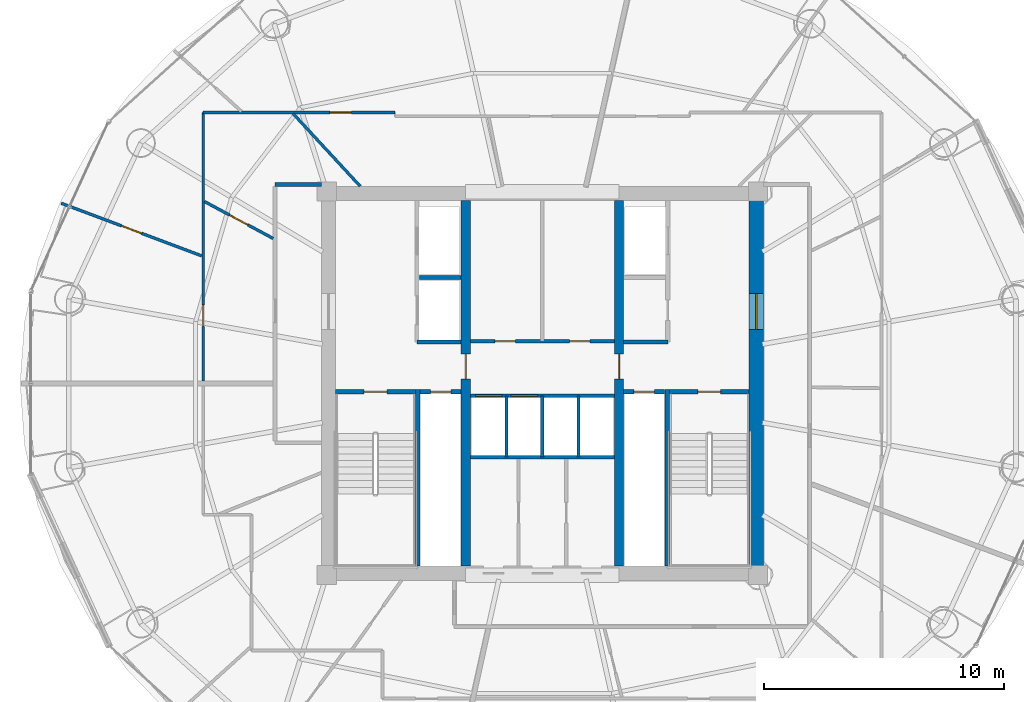
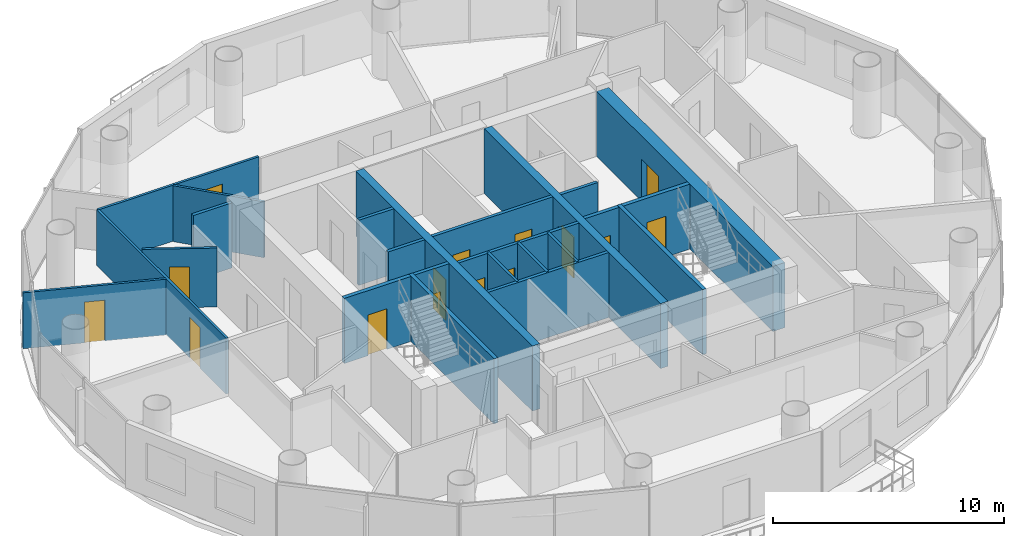
# One storey, part 21 of 26: 24 walls, 15 doors, 15 openings.
"""IFC4 building model written with IfcOpenShell, lengths in metres."""

from ifc_helpers import new_model, si_unit, direction, frame, frame_2d, origin, place, context, subcontext, project, spatial, rectangle, extrude, source, transform, mapped, material, layer, layer_set, type_object, element, fill, save


model = new_model("IFC4")

# Units and contexts
model_context = context("Model", 3, precision=1e-05, world=origin(), true_north=direction((-0.2419218956, 0.970295726276)))
body_context = subcontext(model_context, "Body", "Model", "MODEL_VIEW")
ifc_project = project(units=[si_unit("LENGTHUNIT", "METRE"), si_unit("AREAUNIT", "SQUARE_METRE"), si_unit("VOLUMEUNIT", "CUBIC_METRE"), si_unit("PLANEANGLEUNIT", "RADIAN"), si_unit("MASSUNIT", "GRAM", prefix="KILO")], contexts=[model_context])

# Site, building, storey
site_placement = place(None, origin())
site = spatial("IfcSite", under=ifc_project, at=site_placement, CompositionType="ELEMENT")
building_placement = place(site_placement, origin())
building = spatial("IfcBuilding", under=site, at=building_placement, Name="Cobrevalo Terracotta Tower", CompositionType="ELEMENT")
storey_placement = place(building_placement, frame((0.0, 0.0, 235.60009765625)))
storey = spatial("IfcBuildingStorey", under=building, at=storey_placement, Name="L62", CompositionType="ELEMENT", Elevation=235.60009765625)

# Wall, opening, door
ifc_material_1 = material(Name="Concrete C55", Category="concrete")
ifc_layer_1 = layer(ifc_material_1, 0.60009765625)
ifc_layer_set_1 = layer_set([ifc_layer_1], Name="Concrete C55")
wall_type_1 = type_object("IfcWallType", Name="Core shear wall 600 mm Concrete C55", PredefinedType="SHEAR", material=ifc_layer_set_1)
wall_1_placement = place(storey_placement, frame((46.925048828125, 19.175048828125, 0.0), z_axis=(0.0, 0.0, 1.0), x_axis=(0.0, 1.0, 0.0)))
wall_1 = element("IfcWall", 1, at=wall_1_placement, inside=storey, type_object=wall_type_1, Name="L62 east core shear wall", PredefinedType="SHEAR", context=body_context, shape_type="SweptSolid", body=[
    extrude(rectangle(XDim=15.25, YDim=0.60009765625, at=frame_2d((7.625, 0.0))), origin(), (0.0, 0.0, 1.0), 3.434814453125),
])
opening_1_placement = place(wall_1_placement, frame((9.875, 0.0, 0.0)))
opening_1 = element("IfcOpeningElement", 2, at=opening_1_placement, cuts=wall_1, Name="Opening ID-14", PredefinedType="OPENING", context=body_context, shape_type="SweptSolid", body=[
    extrude(rectangle(XDim=1.5, YDim=2.199951171875, at=frame_2d((0.75, 1.10009765625))), frame((0.0, 0.31005859375, 0.0), z_axis=(0.0, -1.0, 0.0), x_axis=(1.0, 0.0, 0.0)), (0.0, 0.0, 1.0), 0.6201171875),
])
ifc_material_2 = material(Name="Galvanized fire-rated steel", Category="steel")
door_type_1 = type_object("IfcDoorType", Name="Core cross-lobby double fire door 1500x2200 EI 90", OperationType="NOTDEFINED", PredefinedType="DOOR", material=ifc_material_2)
shared_shape_1 = source(origin(), body_context, "Body", "SweptSolid", [
    extrude(rectangle(XDim=1.5, YDim=2.199951171875, at=frame_2d((0.75, 1.10009765625))), frame((0.0, 0.02490234375, 0.0), z_axis=(0.0, -1.0, 0.0), x_axis=(1.0, 0.0, 0.0)), (0.0, 0.0, 1.0), 0.050048828125),
])
door_1_placement = place(opening_1_placement, frame((1.5, 0.0, 0.0), z_axis=(0.0, 0.0, 1.0), x_axis=(-1.0, 0.0, 0.0)))
door_1 = element("IfcDoor", 3, at=door_1_placement, inside=storey, type_object=door_type_1, Name="L62 east firefighting lobby entrance door", OperationType="DOUBLE_DOOR_SINGLE_SWING", OverallHeight=2.199951171875, OverallWidth=1.5, PredefinedType="DOOR", context=body_context, shape_type="MappedRepresentation", body=[
    mapped(shared_shape_1, transform((0.0, 0.0, 0.0), scale=1.0)),
])
fill(opening_1, door_1)

# Walls
ifc_material_3 = material(Name="Gypsum board on steel stud", Category="steel")
ifc_layer_2 = layer(ifc_material_3, 0.159912109375)
ifc_layer_set_2 = layer_set([ifc_layer_2], Name="Gypsum board on steel stud")
wall_type_2 = type_object("IfcWallType", Name="Fire-rated corridor acoustic partition wall 160 mm", PredefinedType="PARTITIONING", material=ifc_layer_set_2)
wall_2_placement = place(storey_placement, frame((32.860107421875, 31.219970703125, 0.0), z_axis=(0.0, 0.0, 1.0), x_axis=(1.0, 0.0, 0.0)))
element("IfcWall", 4, at=wall_2_placement, inside=storey, type_object=wall_type_2, Name="L62 interior partition IW-L62-FF1-M", PredefinedType="PARTITIONING", context=body_context, shape_type="SweptSolid", body=[
    extrude(rectangle(XDim=1.75, YDim=0.159912109375, at=frame_2d((0.875, 0.0))), origin(), (0.0, 0.0, 1.0), 3.434814453125),
])
for number, where, z_axis, x_axis, name in (
    (5, (32.77001953125, 28.52001953125, 0.0), (0.0, 0.0, 1.0), (1.0, 0.0, 0.0), "L62 interior partition IW-L62-FF1-S"),
    (6, (41.389892578125, 28.52001953125, 0.0), (0.0, 0.0, 1.0), (1.0, 0.0, 0.0), "L62 interior partition IW-L62-FF2-S"),
):
    element("IfcWall", number, at=place(storey_placement, frame(where, z_axis=z_axis, x_axis=x_axis)), inside=storey, type_object=wall_type_2, Name=name, PredefinedType="PARTITIONING", context=body_context, shape_type="SweptSolid", body=[
        extrude(rectangle(XDim=1.840087890625, YDim=0.159912109375, at=frame_2d((0.919921875, 0.0))), origin(), (0.0, 0.0, 1.0), 3.434814453125),
    ])

# Wall, openings, doors
wall_3_placement = place(storey_placement, frame((34.989990234375, 28.56005859375, 0.0), z_axis=(0.0, 0.0, 1.0), x_axis=(1.0, 0.0, 0.0)))
wall_3 = element("IfcWall", 7, at=wall_3_placement, inside=storey, type_object=wall_type_2, Name="L62 interior partition IW-L62-LB-S", PredefinedType="PARTITIONING", context=body_context, shape_type="SweptSolid", body=[
    extrude(rectangle(XDim=6.02001953125, YDim=0.159912109375, at=frame_2d((3.010009765625, 0.0))), origin(), (0.0, 0.0, 1.0), 3.434814453125),
])
opening_2_placement = place(wall_3_placement, frame((1.02490234375, 0.0, 0.0)))
opening_2 = element("IfcOpeningElement", 8, at=opening_2_placement, cuts=wall_3, Name="Opening ID-07", PredefinedType="OPENING", context=body_context, shape_type="SweptSolid", body=[
    extrude(rectangle(XDim=0.860107421875, YDim=2.10009765625, at=frame_2d((0.43017578125, 1.050048828125))), frame((0.0, 0.08984375, 0.0), z_axis=(0.0, -1.0, 0.0), x_axis=(1.0, 0.0, 0.0)), (0.0, 0.0, 1.0), 0.179931640625),
])
opening_3_placement = place(wall_3_placement, frame((4.139892578125, 0.0, 0.0)))
opening_3 = element("IfcOpeningElement", 9, at=opening_3_placement, cuts=wall_3, Name="Opening ID-22", PredefinedType="OPENING", context=body_context, shape_type="SweptSolid", body=[
    extrude(rectangle(XDim=0.85009765625, YDim=2.10009765625, at=frame_2d((0.425048828125, 1.050048828125))), frame((0.0, 0.08984375, 0.0), z_axis=(0.0, -1.0, 0.0), x_axis=(1.0, 0.0, 0.0)), (0.0, 0.0, 1.0), 0.179931640625),
])
ifc_material_4 = material(Name="Powder-coated steel", Category="steel")
door_type_2 = type_object("IfcDoorType", Name="Riser shaft & meter closet fire access door 850x2100 EI 60", OperationType="NOTDEFINED", PredefinedType="DOOR", material=ifc_material_4)
shared_shape_2 = source(origin(), body_context, "Body", "SweptSolid", [
    extrude(rectangle(XDim=0.85009765625, YDim=2.10009765625, at=frame_2d((0.425048828125, 1.050048828125))), frame((0.0, 0.02490234375, 0.0), z_axis=(0.0, -1.0, 0.0), x_axis=(1.0, 0.0, 0.0)), (0.0, 0.0, 1.0), 0.050048828125),
])
door_2_placement = place(opening_3_placement, origin())
door_2 = element("IfcDoor", 10, at=door_2_placement, inside=storey, type_object=door_type_2, Name="L62 core service door Floor Telecom and Metering Plant", OperationType="SINGLE_SWING_RIGHT", OverallHeight=2.10009765625, OverallWidth=0.85009765625, PredefinedType="DOOR", context=body_context, shape_type="MappedRepresentation", body=[
    mapped(shared_shape_2, transform((0.0, 0.0, 0.0), scale=1.0)),
])
fill(opening_3, door_2)
ifc_material_5 = material(Name="Fire-rated moisture-sealed timber", Category="wood")
door_type_3 = type_object("IfcDoorType", Name="Core & podium fire-rated accessible WC door 860x2100 EI 60", OperationType="NOTDEFINED", PredefinedType="DOOR", material=ifc_material_5)
shared_shape_3 = source(origin(), body_context, "Body", "SweptSolid", [
    extrude(rectangle(XDim=0.860107421875, YDim=2.10009765625, at=frame_2d((0.43017578125, 1.050048828125))), frame((0.0, 0.02490234375, 0.0), z_axis=(0.0, -1.0, 0.0), x_axis=(1.0, 0.0, 0.0)), (0.0, 0.0, 1.0), 0.050048828125),
])
door_3_placement = place(opening_2_placement, origin())
door_3 = element("IfcDoor", 11, at=door_3_placement, inside=storey, type_object=door_type_3, Name="L62 core service door Core Accessible Toilet WC", OperationType="SINGLE_SWING_LEFT", OverallHeight=2.10009765625, OverallWidth=0.860107421875, PredefinedType="DOOR", context=body_context, shape_type="MappedRepresentation", body=[
    mapped(shared_shape_3, transform((0.0, 0.0, 0.0), scale=1.0)),
])
fill(opening_2, door_3)

wall_4_placement = place(storey_placement, frame((34.989990234375, 26.280029296875, 0.0), z_axis=(0.0, 0.0, 1.0), x_axis=(1.0, 0.0, 0.0)))
wall_4 = element("IfcWall", 12, at=wall_4_placement, inside=storey, type_object=wall_type_2, Name="L62 interior partition IW-L62-MB-N", PredefinedType="PARTITIONING", context=body_context, shape_type="SweptSolid", body=[
    extrude(rectangle(XDim=6.02001953125, YDim=0.159912109375, at=frame_2d((3.010009765625, 0.0))), origin(), (0.0, 0.0, 1.0), 3.434814453125),
])
opening_4_placement = place(wall_4_placement, frame((0.22509765625, 0.0, 0.0)))
opening_4 = element("IfcOpeningElement", 13, at=opening_4_placement, cuts=wall_4, Name="Opening LD-01", PredefinedType="OPENING", context=body_context, shape_type="SweptSolid", body=[
    extrude(rectangle(XDim=1.10009765625, YDim=2.199951171875, at=frame_2d((0.550048828125, 1.10009765625))), frame((0.0, 0.08984375, 0.0), z_axis=(0.0, -1.0, 0.0), x_axis=(1.0, 0.0, 0.0)), (0.0, 0.0, 1.0), 0.179931640625),
])
opening_5_placement = place(wall_4_placement, frame((1.705078125, 0.0, 0.0)))
opening_5 = element("IfcOpeningElement", 14, at=opening_5_placement, cuts=wall_4, Name="Opening LD-01", PredefinedType="OPENING", context=body_context, shape_type="SweptSolid", body=[
    extrude(rectangle(XDim=1.10009765625, YDim=2.199951171875, at=frame_2d((0.550048828125, 1.10009765625))), frame((0.0, 0.08984375, 0.0), z_axis=(0.0, -1.0, 0.0), x_axis=(1.0, 0.0, 0.0)), (0.0, 0.0, 1.0), 0.179931640625),
])
ifc_material_6 = material(Name="Brushed stainless steel", Category="steel")
door_type_4 = type_object("IfcDoorType", Name="Passenger lift landing bi-parting sliding door 1100x2200 EI 90", OperationType="DOUBLE_DOOR_SLIDING", PredefinedType="DOOR", material=ifc_material_6)
shared_shape_4 = source(origin(), body_context, "Body", "SweptSolid", [
    extrude(rectangle(XDim=1.10009765625, YDim=2.199951171875, at=frame_2d((0.550048828125, 1.10009765625))), frame((0.0, 0.02490234375, 0.0), z_axis=(0.0, -1.0, 0.0), x_axis=(1.0, 0.0, 0.0)), (0.0, 0.0, 1.0), 0.050048828125),
])
door_4_placement = place(opening_4_placement, origin())
door_4 = element("IfcDoor", 15, at=door_4_placement, inside=storey, type_object=door_type_4, Name="L62 lift landing door PL-M1", OperationType="DOUBLE_DOOR_SLIDING", OverallHeight=2.199951171875, OverallWidth=1.10009765625, PredefinedType="DOOR", context=body_context, shape_type="MappedRepresentation", body=[
    mapped(shared_shape_4, transform((0.0, 0.0, 0.0), scale=1.0)),
])
fill(opening_4, door_4)
door_5_placement = place(opening_5_placement, origin())
door_5 = element("IfcDoor", 16, at=door_5_placement, inside=storey, type_object=door_type_4, Name="L62 lift landing door PL-M2", OperationType="DOUBLE_DOOR_SLIDING", OverallHeight=2.199951171875, OverallWidth=1.10009765625, PredefinedType="DOOR", context=body_context, shape_type="MappedRepresentation", body=[
    mapped(shared_shape_4, transform((0.0, 0.0, 0.0), scale=1.0)),
])
fill(opening_5, door_5)

# Walls
wall_5_placement = place(storey_placement, frame((34.989990234375, 23.719970703125, 0.0), z_axis=(0.0, 0.0, 1.0), x_axis=(1.0, 0.0, 0.0)))
element("IfcWall", 17, at=wall_5_placement, inside=storey, type_object=wall_type_2, Name="L62 interior partition IW-L62-MB-S", PredefinedType="PARTITIONING", context=body_context, shape_type="SweptSolid", body=[
    extrude(rectangle(XDim=6.02001953125, YDim=0.159912109375, at=frame_2d((3.010009765625, 0.0))), origin(), (0.0, 0.0, 1.0), 3.434814453125),
])
wall_6_placement = place(storey_placement, frame((26.844970703125, 35.10498046875, 0.0), z_axis=(0.0, 0.0, 1.0), x_axis=(1.0, 0.0, 0.0)))
element("IfcWall", 18, at=wall_6_placement, inside=storey, type_object=wall_type_2, Name="L62 interior partition IW-L62-COR-WN-CAP", PredefinedType="PARTITIONING", context=body_context, shape_type="SweptSolid", body=[
    extrude(rectangle(XDim=1.929931640625, YDim=0.159912109375, at=frame_2d((0.96484375, 0.0))), origin(), (0.0, 0.0, 1.0), 3.434814453125),
])

# Wall, opening, door
ifc_layer_3 = layer(ifc_material_3, 0.179931640625)
ifc_layer_set_3 = layer_set([ifc_layer_3], Name="Gypsum board on steel stud")
wall_type_3 = type_object("IfcWallType", Name="Fire-rated shaft & lobby acoustic partition wall 180 mm", PredefinedType="PARTITIONING", material=ifc_layer_set_3)
wall_7_placement = place(storey_placement, frame((32.89990234375, 26.449951171875, 0.0), z_axis=(0.0, 0.0, 1.0), x_axis=(1.0, 0.0, 0.0)))
wall_7 = element("IfcWall", 19, at=wall_7_placement, inside=storey, type_object=wall_type_3, Name="L62 interior partition IW-L62-RSW-N", PredefinedType="PARTITIONING", context=body_context, shape_type="SweptSolid", body=[
    extrude(rectangle(XDim=1.710205078125, YDim=0.179931640625, at=frame_2d((0.85498046875, 0.0))), origin(), (0.0, 0.0, 1.0), 3.434814453125),
])
opening_6_placement = place(wall_7_placement, frame((0.429931640625, 0.0, 0.0)))
opening_6 = element("IfcOpeningElement", 20, at=opening_6_placement, cuts=wall_7, Name="Opening ID-22", PredefinedType="OPENING", context=body_context, shape_type="SweptSolid", body=[
    extrude(rectangle(XDim=0.85009765625, YDim=2.10009765625, at=frame_2d((0.425048828125, 1.050048828125))), frame((0.0, 0.10009765625, 0.0), z_axis=(0.0, -1.0, 0.0), x_axis=(1.0, 0.0, 0.0)), (0.0, 0.0, 1.0), 0.199951171875),
])
door_6_placement = place(opening_6_placement, origin())
door_6 = element("IfcDoor", 21, at=door_6_placement, inside=storey, type_object=door_type_2, Name="L62 riser access door RSW", OperationType="SINGLE_SWING_LEFT", OverallHeight=2.10009765625, OverallWidth=0.85009765625, PredefinedType="DOOR", context=body_context, shape_type="MappedRepresentation", body=[
    mapped(shared_shape_2, transform((0.0, 0.0, 0.0), scale=1.0)),
])
fill(opening_6, door_6)

wall_8_placement = place(storey_placement, frame((41.389892578125, 26.449951171875, 0.0), z_axis=(0.0, 0.0, 1.0), x_axis=(1.0, 0.0, 0.0)))
wall_8 = element("IfcWall", 22, at=wall_8_placement, inside=storey, type_object=wall_type_3, Name="L62 interior partition IW-L62-RSE-N", PredefinedType="PARTITIONING", context=body_context, shape_type="SweptSolid", body=[
    extrude(rectangle(XDim=1.710205078125, YDim=0.179931640625, at=frame_2d((0.85498046875, 0.0))), origin(), (0.0, 0.0, 1.0), 3.434814453125),
])
opening_7_placement = place(wall_8_placement, frame((0.429931640625, 0.0, 0.0)))
opening_7 = element("IfcOpeningElement", 23, at=opening_7_placement, cuts=wall_8, Name="Opening ID-22", PredefinedType="OPENING", context=body_context, shape_type="SweptSolid", body=[
    extrude(rectangle(XDim=0.85009765625, YDim=2.10009765625, at=frame_2d((0.425048828125, 1.050048828125))), frame((0.0, 0.10009765625, 0.0), z_axis=(0.0, -1.0, 0.0), x_axis=(1.0, 0.0, 0.0)), (0.0, 0.0, 1.0), 0.199951171875),
])
door_7_placement = place(opening_7_placement, origin())
door_7 = element("IfcDoor", 24, at=door_7_placement, inside=storey, type_object=door_type_2, Name="L62 riser access door RSE", OperationType="SINGLE_SWING_RIGHT", OverallHeight=2.10009765625, OverallWidth=0.85009765625, PredefinedType="DOOR", context=body_context, shape_type="MappedRepresentation", body=[
    mapped(shared_shape_2, transform((0.0, 0.0, 0.0), scale=1.0)),
])
fill(opening_7, door_7)

# Walls
ifc_material_7 = material(Name="Autoclaved aerated concrete block", Category="concrete")
ifc_layer_4 = layer(ifc_material_7, 0.1201171875)
ifc_layer_set_4 = layer_set([ifc_layer_4], Name="Autoclaved aerated concrete block")
wall_type_4 = type_object("IfcWallType", Name="Fire-rated wet-room & core service partition 120 mm", PredefinedType="PARTITIONING", material=ifc_layer_set_4)
for number, where, z_axis, x_axis, name in (
    (25, (36.5, 23.719970703125, 0.0), (0.0, 0.0, 1.0), (0.0, 1.0, 0.0), "L62 interior partition IW-L62-MB-D1"),
    (26, (39.5, 23.719970703125, 0.0), (0.0, 0.0, 1.0), (0.0, 1.0, 0.0), "L62 interior partition IW-L62-MB-D3"),
):
    element("IfcWall", number, at=place(storey_placement, frame(where, z_axis=z_axis, x_axis=x_axis)), inside=storey, type_object=wall_type_4, Name=name, PredefinedType="PARTITIONING", context=body_context, shape_type="SweptSolid", body=[
        extrude(rectangle(XDim=2.56005859375, YDim=0.1201171875, at=frame_2d((1.280029296875, 0.0))), origin(), (0.0, 0.0, 1.0), 3.434814453125),
    ])

# Wall, opening, door
ifc_material_8 = material(Name="Concrete C50", Category="concrete")
ifc_layer_5 = layer(ifc_material_8, 0.3798828125)
ifc_layer_set_5 = layer_set([ifc_layer_5], Name="Concrete C50")
wall_type_5 = type_object("IfcWallType", Name="Internal core shear web wall 380 mm Concrete C50", PredefinedType="SHEAR", material=ifc_layer_set_5)
wall_9_placement = place(storey_placement, frame((34.800048828125, 19.175048828125, 0.0), z_axis=(0.0, 0.0, 1.0), x_axis=(0.0, 1.0, 0.0)))
wall_9 = element("IfcWall", 27, at=wall_9_placement, inside=storey, type_object=wall_type_5, Name="L62 internal core shear wall WEB-W", PredefinedType="SHEAR", context=body_context, shape_type="SweptSolid", body=[
    extrude(rectangle(XDim=15.25, YDim=0.3798828125, at=frame_2d((7.625, 0.0))), origin(), (0.0, 0.0, 1.0), 3.434814453125),
])
opening_8_placement = place(wall_9_placement, frame((7.800048828125, 0.0, 0.0)))
opening_8 = element("IfcOpeningElement", 28, at=opening_8_placement, cuts=wall_9, Name="Opening ID-11", PredefinedType="OPENING", context=body_context, shape_type="SweptSolid", body=[
    extrude(rectangle(XDim=1.050048828125, YDim=2.14990234375, at=frame_2d((0.52490234375, 1.074951171875))), frame((0.0, 0.199951171875, 0.0), z_axis=(0.0, -1.0, 0.0), x_axis=(1.0, 0.0, 0.0)), (0.0, 0.0, 1.0), 0.39990234375),
])
door_type_5 = type_object("IfcDoorType", Name="Core concourse cross fire door 1050x2150 EI 90", OperationType="NOTDEFINED", PredefinedType="DOOR", material=ifc_material_2)
shared_shape_5 = source(origin(), body_context, "Body", "SweptSolid", [
    extrude(rectangle(XDim=1.050048828125, YDim=2.14990234375, at=frame_2d((0.52490234375, 1.074951171875))), frame((0.0, 0.02490234375, 0.0), z_axis=(0.0, -1.0, 0.0), x_axis=(1.0, 0.0, 0.0)), (0.0, 0.0, 1.0), 0.050048828125),
])
door_8_placement = place(opening_8_placement, origin())
door_8 = element("IfcDoor", 29, at=door_8_placement, inside=storey, type_object=door_type_5, Name="L62 west core concourse cross door", OperationType="SINGLE_SWING_LEFT", OverallHeight=2.14990234375, OverallWidth=1.050048828125, PredefinedType="DOOR", context=body_context, shape_type="MappedRepresentation", body=[
    mapped(shared_shape_5, transform((0.0, 0.0, 0.0), scale=1.0)),
])
fill(opening_8, door_8)

wall_10_placement = place(storey_placement, frame((41.199951171875, 19.175048828125, 0.0), z_axis=(0.0, 0.0, 1.0), x_axis=(0.0, 1.0, 0.0)))
wall_10 = element("IfcWall", 30, at=wall_10_placement, inside=storey, type_object=wall_type_5, Name="L62 internal core shear wall WEB-E", PredefinedType="SHEAR", context=body_context, shape_type="SweptSolid", body=[
    extrude(rectangle(XDim=15.25, YDim=0.3798828125, at=frame_2d((7.625, 0.0))), origin(), (0.0, 0.0, 1.0), 3.434814453125),
])
opening_9_placement = place(wall_10_placement, frame((7.800048828125, 0.0, 0.0)))
opening_9 = element("IfcOpeningElement", 31, at=opening_9_placement, cuts=wall_10, Name="Opening ID-11", PredefinedType="OPENING", context=body_context, shape_type="SweptSolid", body=[
    extrude(rectangle(XDim=1.050048828125, YDim=2.14990234375, at=frame_2d((0.52490234375, 1.074951171875))), frame((0.0, 0.199951171875, 0.0), z_axis=(0.0, -1.0, 0.0), x_axis=(1.0, 0.0, 0.0)), (0.0, 0.0, 1.0), 0.39990234375),
])
door_9_placement = place(opening_9_placement, frame((1.050048828125, 0.0, 0.0), z_axis=(0.0, 0.0, 1.0), x_axis=(-1.0, 0.0, 0.0)))
door_9 = element("IfcDoor", 32, at=door_9_placement, inside=storey, type_object=door_type_5, Name="L62 east core concourse cross door", OperationType="SINGLE_SWING_RIGHT", OverallHeight=2.14990234375, OverallWidth=1.050048828125, PredefinedType="DOOR", context=body_context, shape_type="MappedRepresentation", body=[
    mapped(shared_shape_5, transform((0.0, 0.0, 0.0), scale=1.0)),
])
fill(opening_9, door_9)

# Wall
ifc_layer_6 = layer(ifc_material_7, 0.139892578125)
ifc_layer_set_6 = layer_set([ifc_layer_6], Name="Autoclaved aerated concrete block")
wall_type_6 = type_object("IfcWallType", Name="Moisture-resistant wet-room & core service partition 140 mm", PredefinedType="PARTITIONING", material=ifc_layer_set_6)
wall_11_placement = place(storey_placement, frame((38.0, 23.719970703125, 0.0), z_axis=(0.0, 0.0, 1.0), x_axis=(0.0, 1.0, 0.0)))
element("IfcWall", 33, at=wall_11_placement, inside=storey, type_object=wall_type_6, Name="L62 interior partition IW-L62-MB-D2", PredefinedType="PARTITIONING", context=body_context, shape_type="SweptSolid", body=[
    extrude(rectangle(XDim=2.56005859375, YDim=0.139892578125, at=frame_2d((1.280029296875, 0.0))), origin(), (0.0, 0.0, 1.0), 3.434814453125),
])

# Wall, opening, door
ifc_layer_7 = layer(ifc_material_3, 0.1201171875)
ifc_layer_set_7 = layer_set([ifc_layer_7], Name="Gypsum board on steel stud")
wall_type_7 = type_object("IfcWallType", Name="Residential internal acoustic stud partition 120 mm", PredefinedType="PARTITIONING", material=ifc_layer_set_7)
wall_12_placement = place(storey_placement, frame((23.844970703125, 26.902099609375, 0.0), z_axis=(0.0, 0.0, 1.0), x_axis=(0.0, 1.0, 0.0)))
wall_12 = element("IfcWall", 34, at=wall_12_placement, inside=storey, type_object=wall_type_7, Name="L62 interior partition IW-L62-U2-RING0_0", PredefinedType="PARTITIONING", context=body_context, shape_type="SweptSolid", body=[
    extrude(rectangle(XDim=11.202880859375, YDim=0.1201171875, at=frame_2d((5.6015625, 0.0))), origin(), (0.0, 0.0, 1.0), 2.950927734375),
])
opening_10_placement = place(wall_12_placement, frame((2.2763671875, 0.0, 0.0)))
opening_10 = element("IfcOpeningElement", 35, at=opening_10_placement, cuts=wall_12, Name="Opening ID-12", PredefinedType="OPENING", context=body_context, shape_type="SweptSolid", body=[
    extrude(rectangle(XDim=0.89990234375, YDim=2.14990234375, at=frame_2d((0.449951171875, 1.074951171875))), frame((0.0, 0.070068359375, 0.0), z_axis=(0.0, -1.0, 0.0), x_axis=(1.0, 0.0, 0.0)), (0.0, 0.0, 1.0), 0.14013671875),
])
ifc_material_9 = material(Name="Engineered timber", Category="wood")
door_type_6 = type_object("IfcDoorType", Name="Internal residence & suite timber door 900x2150", OperationType="NOTDEFINED", PredefinedType="DOOR", material=ifc_material_9)
shared_shape_6 = source(origin(), body_context, "Body", "SweptSolid", [
    extrude(rectangle(XDim=0.89990234375, YDim=2.14990234375, at=frame_2d((0.449951171875, 1.074951171875))), frame((0.0, 0.02490234375, 0.0), z_axis=(0.0, -1.0, 0.0), x_axis=(1.0, 0.0, 0.0)), (0.0, 0.0, 1.0), 0.050048828125),
])
door_10_placement = place(opening_10_placement, origin())
door_10 = element("IfcDoor", 36, at=door_10_placement, inside=storey, type_object=door_type_6, Name="Flat L62B Penthouse Family Lounge internal door", OperationType="SINGLE_SWING_LEFT", OverallHeight=2.14990234375, OverallWidth=0.89990234375, PredefinedType="DOOR", context=body_context, shape_type="MappedRepresentation", body=[
    mapped(shared_shape_6, transform((0.0, 0.0, 0.0), scale=1.0)),
])
fill(opening_10, door_10)

wall_13_placement = place(storey_placement, frame((23.844970703125, 38.10498046875, 0.0), z_axis=(0.0, 0.0, 1.0), x_axis=(1.0, 0.0, 0.0)))
wall_13 = element("IfcWall", 37, at=wall_13_placement, inside=storey, type_object=wall_type_7, Name="L62 interior partition IW-L62-U2-RING1_0", PredefinedType="PARTITIONING", context=body_context, shape_type="SweptSolid", body=[
    extrude(rectangle(XDim=8.010009765625, YDim=0.1201171875, at=frame_2d((4.0048828125, 0.0))), origin(), (0.0, 0.0, 1.0), 2.950927734375),
])
opening_11_placement = place(wall_13_placement, frame((5.287841796875, 0.0, 0.0)))
opening_11 = element("IfcOpeningElement", 38, at=opening_11_placement, cuts=wall_13, Name="Opening ID-12", PredefinedType="OPENING", context=body_context, shape_type="SweptSolid", body=[
    extrude(rectangle(XDim=0.89990234375, YDim=2.14990234375, at=frame_2d((0.449951171875, 1.074951171875))), frame((0.0, 0.070068359375, 0.0), z_axis=(0.0, -1.0, 0.0), x_axis=(1.0, 0.0, 0.0)), (0.0, 0.0, 1.0), 0.14013671875),
])
door_11_placement = place(opening_11_placement, frame((0.89990234375, 0.0, 0.0), z_axis=(0.0, 0.0, 1.0), x_axis=(-1.0, 0.0, 0.0)))
door_11 = element("IfcDoor", 39, at=door_11_placement, inside=storey, type_object=door_type_6, Name="Flat L62B Kitchen internal door", OperationType="SINGLE_SWING_RIGHT", OverallHeight=2.14990234375, OverallWidth=0.89990234375, PredefinedType="DOOR", context=body_context, shape_type="MappedRepresentation", body=[
    mapped(shared_shape_6, transform((0.0, 0.0, 0.0), scale=1.0)),
])
fill(opening_11, door_11)

wall_14_placement = place(storey_placement, frame((23.786865234375, 32.1201171875, 0.0), z_axis=(0.0, 0.0, 1.0), x_axis=(-0.936540304423, 0.35055992097, 0.0)))
wall_14 = element("IfcWall", 40, at=wall_14_placement, inside=storey, type_object=wall_type_7, Name="L62 interior partition IW-L62-U2-ORAD2M1", PredefinedType="PARTITIONING", context=body_context, shape_type="SweptSolid", body=[
    extrude(rectangle(XDim=6.267822265625, YDim=0.1201171875, at=frame_2d((3.1337890625, 0.0))), origin(), (0.0, 0.0, 1.0), 2.950927734375),
])
opening_12_placement = place(wall_14_placement, frame((2.68408203125, 0.0, 0.0)))
opening_12 = element("IfcOpeningElement", 41, at=opening_12_placement, cuts=wall_14, Name="Opening ID-12", PredefinedType="OPENING", context=body_context, shape_type="SweptSolid", body=[
    extrude(rectangle(XDim=0.89990234375, YDim=2.14990234375, at=frame_2d((0.449951171875, 1.074951171875))), frame((0.0, 0.070068359375, 0.0), z_axis=(0.0, -1.0, 0.0), x_axis=(1.0, 0.0, 0.0)), (0.0, 0.0, 1.0), 0.14013671875),
])
door_12_placement = place(opening_12_placement, frame((0.89990234375, 0.0, 0.0), z_axis=(0.0, 0.0, 1.0), x_axis=(-1.0, 0.0, 0.0)))
door_12 = element("IfcDoor", 42, at=door_12_placement, inside=storey, type_object=door_type_6, Name="Flat L62B Master Bedroom internal door", OperationType="SINGLE_SWING_RIGHT", OverallHeight=2.14990234375, OverallWidth=0.89990234375, PredefinedType="DOOR", context=body_context, shape_type="MappedRepresentation", body=[
    mapped(shared_shape_6, transform((0.0, 0.0, 0.0), scale=1.0)),
])
fill(opening_12, door_12)

# Wall
wall_15_placement = place(storey_placement, frame((30.39599609375, 35.0263671875, 0.0), z_axis=(0.0, 0.0, 1.0), x_axis=(-0.678748871003, 0.73437045836, 0.0)))
element("IfcWall", 43, at=wall_15_placement, inside=storey, type_object=wall_type_7, Name="L62 interior partition IW-L62-U2-IRAD2", PredefinedType="PARTITIONING", context=body_context, shape_type="SweptSolid", body=[
    extrude(rectangle(XDim=4.13037109375, YDim=0.1201171875, at=frame_2d((2.065185546875, 0.0))), origin(), (0.0, 0.0, 1.0), 2.950927734375),
])

# Wall, opening, door
wall_16_placement = place(storey_placement, frame((26.764892578125, 32.845458984375, 0.0), z_axis=(0.0, 0.0, 1.0), x_axis=(-0.88057708661, 0.473902937886, 0.0)))
wall_16 = element("IfcWall", 44, at=wall_16_placement, inside=storey, type_object=wall_type_7, Name="L62 interior partition IW-L62-U2-IRAD3", PredefinedType="PARTITIONING", context=body_context, shape_type="SweptSolid", body=[
    extrude(rectangle(XDim=3.25390625, YDim=0.1201171875, at=frame_2d((1.626953125, 0.0))), origin(), (0.0, 0.0, 1.0), 3.10986328125),
])
opening_13_placement = place(wall_16_placement, frame((1.197021484375, 0.0, 0.0)))
opening_13 = element("IfcOpeningElement", 45, at=opening_13_placement, cuts=wall_16, Name="Opening ID-19", PredefinedType="OPENING", context=body_context, shape_type="SweptSolid", body=[
    extrude(rectangle(XDim=0.860107421875, YDim=2.14990234375, at=frame_2d((0.43017578125, 1.074951171875))), frame((0.0, 0.070068359375, 0.0), z_axis=(0.0, -1.0, 0.0), x_axis=(1.0, 0.0, 0.0)), (0.0, 0.0, 1.0), 0.14013671875),
])
ifc_material_10 = material(Name="Moisture-sealed timber", Category="wood")
door_type_7 = type_object("IfcDoorType", Name="Suite bathroom internal timber door 860x2150", OperationType="NOTDEFINED", PredefinedType="DOOR", material=ifc_material_10)
shared_shape_7 = source(origin(), body_context, "Body", "SweptSolid", [
    extrude(rectangle(XDim=0.860107421875, YDim=2.14990234375, at=frame_2d((0.43017578125, 1.074951171875))), frame((0.0, 0.02490234375, 0.0), z_axis=(0.0, -1.0, 0.0), x_axis=(1.0, 0.0, 0.0)), (0.0, 0.0, 1.0), 0.050048828125),
])
door_13_placement = place(opening_13_placement, frame((0.860107421875, 0.0, 0.0), z_axis=(0.0, 0.0, 1.0), x_axis=(-1.0, 0.0, 0.0)))
door_13 = element("IfcDoor", 46, at=door_13_placement, inside=storey, type_object=door_type_7, Name="Flat L62B Primary Bathroom internal door", OperationType="SINGLE_SWING_RIGHT", OverallHeight=2.14990234375, OverallWidth=0.860107421875, PredefinedType="DOOR", context=body_context, shape_type="MappedRepresentation", body=[
    mapped(shared_shape_7, transform((0.0, 0.0, 0.0), scale=1.0)),
])
fill(opening_13, door_13)

# Wall
ifc_layer_8 = layer(ifc_material_8, 0.199951171875)
ifc_layer_set_8 = layer_set([ifc_layer_8], Name="Concrete C50")
wall_type_8 = type_object("IfcWallType", Name="Structural core & podium stair-shaft RC wall 200 mm Concrete C50", PredefinedType="SOLIDWALL", material=ifc_layer_set_8)
wall_17_placement = place(storey_placement, frame((32.794921875, 19.175048828125, 0.0), z_axis=(0.0, 0.0, 1.0), x_axis=(0.0, 1.0, 0.0)))
element("IfcWall", 47, at=wall_17_placement, inside=storey, type_object=wall_type_8, Name="L62 ST-1 east structural shaft wall", PredefinedType="SOLIDWALL", context=body_context, shape_type="SweptSolid", body=[
    extrude(rectangle(XDim=7.375, YDim=0.199951171875, at=frame_2d((3.6875, 0.0))), origin(), (0.0, 0.0, 1.0), 3.434814453125),
])

# Wall, opening, door
wall_18_placement = place(storey_placement, frame((29.375, 26.449951171875, 0.0), z_axis=(0.0, 0.0, 1.0), x_axis=(1.0, 0.0, 0.0)))
wall_18 = element("IfcWall", 48, at=wall_18_placement, inside=storey, type_object=wall_type_8, Name="L62 ST-1 north structural shaft wall", PredefinedType="SOLIDWALL", context=body_context, shape_type="SweptSolid", body=[
    extrude(rectangle(XDim=3.320068359375, YDim=0.199951171875, at=frame_2d((1.66015625, 0.0))), origin(), (0.0, 0.0, 1.0), 3.434814453125),
])
opening_14_placement = place(wall_18_placement, frame((1.18505859375, 0.0, 0.0)))
opening_14 = element("IfcOpeningElement", 49, at=opening_14_placement, cuts=wall_18, Name="Opening ID-04", PredefinedType="OPENING", context=body_context, shape_type="SweptSolid", body=[
    extrude(rectangle(XDim=0.949951171875, YDim=2.14990234375, at=frame_2d((0.47509765625, 1.074951171875))), frame((0.0, 0.10986328125, 0.0), z_axis=(0.0, -1.0, 0.0), x_axis=(1.0, 0.0, 0.0)), (0.0, 0.0, 1.0), 0.219970703125),
])
door_type_8 = type_object("IfcDoorType", Name="Stair & firefighting lobby fire door 950x2150 EI 90", OperationType="NOTDEFINED", PredefinedType="DOOR", material=ifc_material_2)
shared_shape_8 = source(origin(), body_context, "Body", "SweptSolid", [
    extrude(rectangle(XDim=0.949951171875, YDim=2.14990234375, at=frame_2d((0.47509765625, 1.074951171875))), frame((0.0, 0.02490234375, 0.0), z_axis=(0.0, -1.0, 0.0), x_axis=(1.0, 0.0, 0.0)), (0.0, 0.0, 1.0), 0.050048828125),
])
door_14_placement = place(opening_14_placement, origin())
door_14 = element("IfcDoor", 50, at=door_14_placement, inside=storey, type_object=door_type_8, Name="L62 protected stair ST1 fire door", OperationType="SINGLE_SWING_LEFT", OverallHeight=2.14990234375, OverallWidth=0.949951171875, PredefinedType="DOOR", context=body_context, shape_type="MappedRepresentation", body=[
    mapped(shared_shape_8, transform((0.0, 0.0, 0.0), scale=1.0)),
])
fill(opening_14, door_14)

# Wall
wall_19_placement = place(storey_placement, frame((43.205078125, 19.175048828125, 0.0), z_axis=(0.0, 0.0, 1.0), x_axis=(0.0, 1.0, 0.0)))
element("IfcWall", 51, at=wall_19_placement, inside=storey, type_object=wall_type_8, Name="L62 ST-2 west structural shaft wall", PredefinedType="SOLIDWALL", context=body_context, shape_type="SweptSolid", body=[
    extrude(rectangle(XDim=7.375, YDim=0.199951171875, at=frame_2d((3.6875, 0.0))), origin(), (0.0, 0.0, 1.0), 3.434814453125),
])

# Wall, opening, door
wall_20_placement = place(storey_placement, frame((43.304931640625, 26.449951171875, 0.0), z_axis=(0.0, 0.0, 1.0), x_axis=(1.0, 0.0, 0.0)))
wall_20 = element("IfcWall", 52, at=wall_20_placement, inside=storey, type_object=wall_type_8, Name="L62 ST-2 north structural shaft wall", PredefinedType="SOLIDWALL", context=body_context, shape_type="SweptSolid", body=[
    extrude(rectangle(XDim=3.320068359375, YDim=0.199951171875, at=frame_2d((1.66015625, 0.0))), origin(), (0.0, 0.0, 1.0), 3.434814453125),
])
opening_15_placement = place(wall_20_placement, frame((1.18505859375, 0.0, 0.0)))
opening_15 = element("IfcOpeningElement", 53, at=opening_15_placement, cuts=wall_20, Name="Opening ID-04", PredefinedType="OPENING", context=body_context, shape_type="SweptSolid", body=[
    extrude(rectangle(XDim=0.949951171875, YDim=2.14990234375, at=frame_2d((0.47509765625, 1.074951171875))), frame((0.0, 0.10986328125, 0.0), z_axis=(0.0, -1.0, 0.0), x_axis=(1.0, 0.0, 0.0)), (0.0, 0.0, 1.0), 0.219970703125),
])
door_15_placement = place(opening_15_placement, frame((0.949951171875, 0.0, 0.0), z_axis=(0.0, 0.0, 1.0), x_axis=(-1.0, 0.0, 0.0)))
door_15 = element("IfcDoor", 54, at=door_15_placement, inside=storey, type_object=door_type_8, Name="L62 protected stair ST2 fire door", OperationType="SINGLE_SWING_RIGHT", OverallHeight=2.14990234375, OverallWidth=0.949951171875, PredefinedType="DOOR", context=body_context, shape_type="MappedRepresentation", body=[
    mapped(shared_shape_8, transform((0.0, 0.0, 0.0), scale=1.0)),
])
fill(opening_15, door_15)

save(model, "model.ifc")
